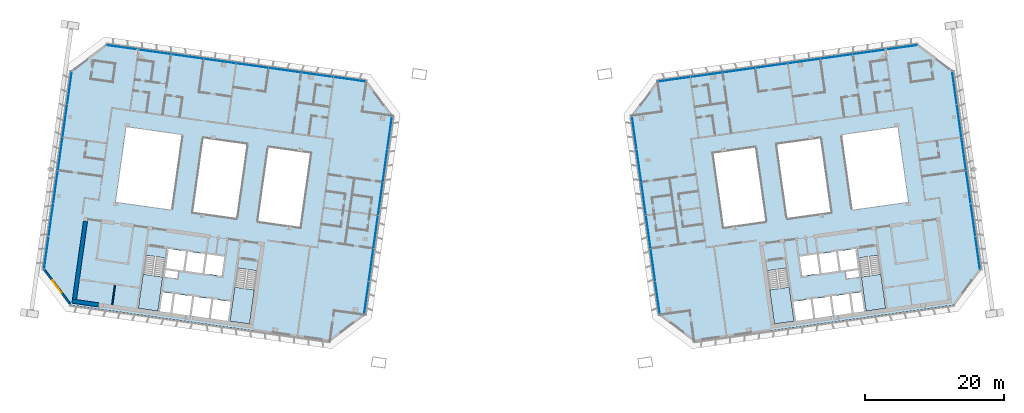
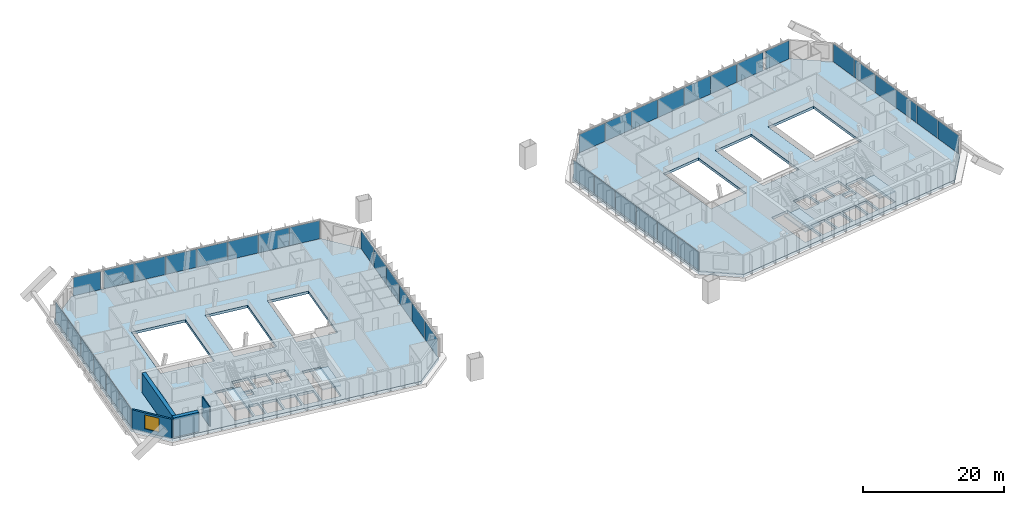
# One storey, part 13 of 25: 40 plates, 6 slabs, 4 walls, 1 window, 1 opening, 10 elements without a shape of their own.
"""IFC4 building model written with IfcOpenShell, lengths in metres."""

from ifc_helpers import new_model, si_unit, direction, frame, frame_2d, origin, origin_2d, place, context, subcontext, project, spatial, polyline, rectangle, outline, extrude, material, layer, layer_set, type_object, element, fill, aggregate, save


model = new_model("IFC4")

# Units and contexts
model_context = context("Model", 3, precision=1e-05, world=origin(), true_north=direction((0.0, 1.0)))
body_context = subcontext(model_context, "Body", "Model", "MODEL_VIEW")
ifc_project = project(units=[si_unit("LENGTHUNIT", "METRE"), si_unit("AREAUNIT", "SQUARE_METRE"), si_unit("VOLUMEUNIT", "CUBIC_METRE"), si_unit("PLANEANGLEUNIT", "RADIAN"), si_unit("MASSUNIT", "GRAM", prefix="KILO")], contexts=[model_context])

# Site, building, storey
site_placement = place(None, origin())
site = spatial("IfcSite", under=ifc_project, at=site_placement, CompositionType="ELEMENT")
building_placement = place(site_placement, origin())
building = spatial("IfcBuilding", under=site, at=building_placement, Name="Mirante Cascada Hotel Towers", CompositionType="ELEMENT")
storey_placement = place(building_placement, frame((0.0, 0.0, 247.0)))
storey = spatial("IfcBuildingStorey", under=building, at=storey_placement, Name="L59", CompositionType="ELEMENT", Elevation=247.0)

# Curtain wall, plates
ifc_material_1 = material(Name="Aluminium mullion and transom frame with clear laminated glass", Category="aluminium")
curtain_wall_type_1 = type_object("IfcCurtainWallType", Name="Ribbon curtain wall ECW1", PredefinedType="NOTDEFINED", material=ifc_material_1)
curtain_wall_1_placement = place(storey_placement, origin())
curtain_wall_1 = element("IfcCurtainWall", 1, at=curtain_wall_1_placement, inside=storey, type_object=curtain_wall_type_1, Name="Front ribbon wall T1 L59", PredefinedType="NOTDEFINED")
ifc_material_2 = material(Name="Clear laminated glass", Category="glass")
ifc_layer_1 = layer(ifc_material_2, 0.036)
ifc_layer_set_1 = layer_set([ifc_layer_1], Name="ECW1 glass panel 36")
plate_type_1 = type_object("IfcPlateType", Name="ECW1 glass panel 36", PredefinedType="CURTAIN_PANEL", material=ifc_layer_set_1)
plate_1_placement = place(storey_placement, frame((-56.3731, 20.7417, 0.1), z_axis=(0.0, 0.0, 1.0), x_axis=(0.9902681, -0.1391731, 0.0)))
plate_1 = element("IfcPlate", 2, at=plate_1_placement, type_object=plate_type_1, Name="ECW1 panel 1", PredefinedType="CURTAIN_PANEL", context=body_context, shape_type="SweptSolid", body=[
    extrude(rectangle(XDim=4.1828, YDim=0.036, at=origin_2d()), origin(), (0.0, 0.0, 1.0), 3.15),
])
plate_2_placement = place(storey_placement, frame((-51.4901, 20.0555, 0.1), z_axis=(0.0, 0.0, 1.0), x_axis=(0.9902681, -0.1391731, 0.0)))
plate_2 = element("IfcPlate", 3, at=plate_2_placement, type_object=plate_type_1, Name="ECW1 panel 2", PredefinedType="CURTAIN_PANEL", context=body_context, shape_type="SweptSolid", body=[
    extrude(rectangle(XDim=4.6599, YDim=0.036, at=origin_2d()), origin(), (0.0, 0.0, 1.0), 3.15),
])
plate_3_placement = place(storey_placement, frame((-46.8112, 19.3979, 0.1), z_axis=(0.0, 0.0, 1.0), x_axis=(0.9902681, -0.1391731, 0.0)))
plate_3 = element("IfcPlate", 4, at=plate_3_placement, type_object=plate_type_1, Name="ECW1 panel 3", PredefinedType="CURTAIN_PANEL", context=body_context, shape_type="SweptSolid", body=[
    extrude(rectangle(XDim=4.6599, YDim=0.036, at=origin_2d()), origin(), (0.0, 0.0, 1.0), 3.15),
])
plate_4_placement = place(storey_placement, frame((-42.1323, 18.7403, 0.1), z_axis=(0.0, 0.0, 1.0), x_axis=(0.9902681, -0.1391731, 0.0)))
plate_4 = element("IfcPlate", 5, at=plate_4_placement, type_object=plate_type_1, Name="ECW1 panel 4", PredefinedType="CURTAIN_PANEL", context=body_context, shape_type="SweptSolid", body=[
    extrude(rectangle(XDim=4.6599, YDim=0.036, at=origin_2d()), origin(), (0.0, 0.0, 1.0), 3.15),
])
plate_5_placement = place(storey_placement, frame((-37.4534, 18.0828, 0.1), z_axis=(0.0, 0.0, 1.0), x_axis=(0.9902681, -0.1391731, 0.0)))
plate_5 = element("IfcPlate", 6, at=plate_5_placement, type_object=plate_type_1, Name="ECW1 panel 5", PredefinedType="CURTAIN_PANEL", context=body_context, shape_type="SweptSolid", body=[
    extrude(rectangle(XDim=4.6599, YDim=0.036, at=origin_2d()), origin(), (0.0, 0.0, 1.0), 3.15),
])
plate_6_placement = place(storey_placement, frame((-32.7744, 17.4252, 0.1), z_axis=(0.0, 0.0, 1.0), x_axis=(0.9902681, -0.1391731, 0.0)))
plate_6 = element("IfcPlate", 7, at=plate_6_placement, type_object=plate_type_1, Name="ECW1 panel 6", PredefinedType="CURTAIN_PANEL", context=body_context, shape_type="SweptSolid", body=[
    extrude(rectangle(XDim=4.6599, YDim=0.036, at=origin_2d()), origin(), (0.0, 0.0, 1.0), 3.15),
])
plate_7_placement = place(storey_placement, frame((-28.0955, 16.7676, 0.1), z_axis=(0.0, 0.0, 1.0), x_axis=(0.9902681, -0.1391731, 0.0)))
plate_7 = element("IfcPlate", 8, at=plate_7_placement, type_object=plate_type_1, Name="ECW1 panel 7", PredefinedType="CURTAIN_PANEL", context=body_context, shape_type="SweptSolid", body=[
    extrude(rectangle(XDim=4.6599, YDim=0.036, at=origin_2d()), origin(), (0.0, 0.0, 1.0), 3.15),
])
plate_8_placement = place(storey_placement, frame((-23.4327, 16.1123, 0.1), z_axis=(0.0, 0.0, 1.0), x_axis=(0.9902681, -0.1391731, 0.0)))
plate_8 = element("IfcPlate", 9, at=plate_8_placement, type_object=plate_type_1, Name="ECW1 panel 8", PredefinedType="CURTAIN_PANEL", context=body_context, shape_type="SweptSolid", body=[
    extrude(rectangle(XDim=4.6274, YDim=0.036, at=origin_2d()), origin(), (0.0, 0.0, 1.0), 3.15),
])
aggregate(curtain_wall_1, [plate_1, plate_2, plate_3, plate_4, plate_5, plate_6, plate_7, plate_8])

curtain_wall_2_placement = place(storey_placement, origin())
curtain_wall_2 = element("IfcCurtainWall", 10, at=curtain_wall_2_placement, inside=storey, type_object=curtain_wall_type_1, Name="Front ribbon wall T2 L59", PredefinedType="NOTDEFINED")
plate_9_placement = place(storey_placement, frame((56.3731, 20.7417, 0.1), z_axis=(0.0, 0.0, 1.0), x_axis=(-0.9902681, -0.1391731, 0.0)))
plate_9 = element("IfcPlate", 11, at=plate_9_placement, type_object=plate_type_1, Name="ECW1 panel 1", PredefinedType="CURTAIN_PANEL", context=body_context, shape_type="SweptSolid", body=[
    extrude(rectangle(XDim=4.1828, YDim=0.036, at=origin_2d()), origin(), (0.0, 0.0, 1.0), 3.15),
])
plate_10_placement = place(storey_placement, frame((51.4901, 20.0555, 0.1), z_axis=(0.0, 0.0, 1.0), x_axis=(-0.9902681, -0.1391731, 0.0)))
plate_10 = element("IfcPlate", 12, at=plate_10_placement, type_object=plate_type_1, Name="ECW1 panel 2", PredefinedType="CURTAIN_PANEL", context=body_context, shape_type="SweptSolid", body=[
    extrude(rectangle(XDim=4.6599, YDim=0.036, at=origin_2d()), origin(), (0.0, 0.0, 1.0), 3.15),
])
plate_11_placement = place(storey_placement, frame((46.8112, 19.3979, 0.1), z_axis=(0.0, 0.0, 1.0), x_axis=(-0.9902681, -0.1391731, 0.0)))
plate_11 = element("IfcPlate", 13, at=plate_11_placement, type_object=plate_type_1, Name="ECW1 panel 3", PredefinedType="CURTAIN_PANEL", context=body_context, shape_type="SweptSolid", body=[
    extrude(rectangle(XDim=4.6599, YDim=0.036, at=origin_2d()), origin(), (0.0, 0.0, 1.0), 3.15),
])
plate_12_placement = place(storey_placement, frame((42.1323, 18.7403, 0.1), z_axis=(0.0, 0.0, 1.0), x_axis=(-0.9902681, -0.1391731, 0.0)))
plate_12 = element("IfcPlate", 14, at=plate_12_placement, type_object=plate_type_1, Name="ECW1 panel 4", PredefinedType="CURTAIN_PANEL", context=body_context, shape_type="SweptSolid", body=[
    extrude(rectangle(XDim=4.6599, YDim=0.036, at=origin_2d()), origin(), (0.0, 0.0, 1.0), 3.15),
])
plate_13_placement = place(storey_placement, frame((37.4534, 18.0828, 0.1), z_axis=(0.0, 0.0, 1.0), x_axis=(-0.9902681, -0.1391731, 0.0)))
plate_13 = element("IfcPlate", 15, at=plate_13_placement, type_object=plate_type_1, Name="ECW1 panel 5", PredefinedType="CURTAIN_PANEL", context=body_context, shape_type="SweptSolid", body=[
    extrude(rectangle(XDim=4.6599, YDim=0.036, at=origin_2d()), origin(), (0.0, 0.0, 1.0), 3.15),
])
plate_14_placement = place(storey_placement, frame((32.7744, 17.4252, 0.1), z_axis=(0.0, 0.0, 1.0), x_axis=(-0.9902681, -0.1391731, 0.0)))
plate_14 = element("IfcPlate", 16, at=plate_14_placement, type_object=plate_type_1, Name="ECW1 panel 6", PredefinedType="CURTAIN_PANEL", context=body_context, shape_type="SweptSolid", body=[
    extrude(rectangle(XDim=4.6599, YDim=0.036, at=origin_2d()), origin(), (0.0, 0.0, 1.0), 3.15),
])
plate_15_placement = place(storey_placement, frame((28.0955, 16.7676, 0.1), z_axis=(0.0, 0.0, 1.0), x_axis=(-0.9902681, -0.1391731, 0.0)))
plate_15 = element("IfcPlate", 17, at=plate_15_placement, type_object=plate_type_1, Name="ECW1 panel 7", PredefinedType="CURTAIN_PANEL", context=body_context, shape_type="SweptSolid", body=[
    extrude(rectangle(XDim=4.6599, YDim=0.036, at=origin_2d()), origin(), (0.0, 0.0, 1.0), 3.15),
])
plate_16_placement = place(storey_placement, frame((23.4327, 16.1123, 0.1), z_axis=(0.0, 0.0, 1.0), x_axis=(-0.9902681, -0.1391731, 0.0)))
plate_16 = element("IfcPlate", 18, at=plate_16_placement, type_object=plate_type_1, Name="ECW1 panel 8", PredefinedType="CURTAIN_PANEL", context=body_context, shape_type="SweptSolid", body=[
    extrude(rectangle(XDim=4.6274, YDim=0.036, at=origin_2d()), origin(), (0.0, 0.0, 1.0), 3.15),
])
aggregate(curtain_wall_2, [plate_9, plate_10, plate_11, plate_12, plate_13, plate_14, plate_15, plate_16])

ifc_material_3 = material(Name="Aluminium mullion and transom frame with clear laminated glass", Category="aluminium")
curtain_wall_type_2 = type_object("IfcCurtainWallType", Name="End ribbon curtain wall ECW2", PredefinedType="NOTDEFINED", material=ifc_material_3)
curtain_wall_3_placement = place(storey_placement, origin())
curtain_wall_3 = element("IfcCurtainWall", 19, at=curtain_wall_3_placement, inside=storey, type_object=curtain_wall_type_2, Name="Inner end wall T1 L59", PredefinedType="NOTDEFINED")
ifc_material_4 = material(Name="Clear laminated glass", Category="glass")
ifc_layer_2 = layer(ifc_material_4, 0.034)
ifc_layer_set_2 = layer_set([ifc_layer_2], Name="ECW2 glass panel 34")
plate_type_2 = type_object("IfcPlateType", Name="ECW2 glass panel 34", PredefinedType="CURTAIN_PANEL", material=ifc_layer_set_2)
plate_17_placement = place(storey_placement, frame((-17.6591, 8.399, 0.1), z_axis=(0.0, 0.0, 1.0), x_axis=(-0.1391731, -0.9902681, 0.0)))
plate_17 = element("IfcPlate", 20, at=plate_17_placement, type_object=plate_type_2, Name="ECW2 panel 1", PredefinedType="CURTAIN_PANEL", context=body_context, shape_type="SweptSolid", body=[
    extrude(rectangle(XDim=4.7151, YDim=0.034, at=origin_2d()), origin(), (0.0, 0.0, 1.0), 3.15),
])
plate_18_placement = place(storey_placement, frame((-18.3267, 3.6493, 0.1), z_axis=(0.0, 0.0, 1.0), x_axis=(-0.1391731, -0.9902681, 0.0)))
plate_18 = element("IfcPlate", 21, at=plate_18_placement, type_object=plate_type_2, Name="ECW2 panel 2", PredefinedType="CURTAIN_PANEL", context=body_context, shape_type="SweptSolid", body=[
    extrude(rectangle(XDim=4.7476, YDim=0.034, at=origin_2d()), origin(), (0.0, 0.0, 1.0), 3.15),
])
plate_19_placement = place(storey_placement, frame((-18.9965, -1.1165, 0.1), z_axis=(0.0, 0.0, 1.0), x_axis=(-0.1391731, -0.9902681, 0.0)))
plate_19 = element("IfcPlate", 22, at=plate_19_placement, type_object=plate_type_2, Name="ECW2 panel 3", PredefinedType="CURTAIN_PANEL", context=body_context, shape_type="SweptSolid", body=[
    extrude(rectangle(XDim=4.7476, YDim=0.034, at=origin_2d()), origin(), (0.0, 0.0, 1.0), 3.15),
])
plate_20_placement = place(storey_placement, frame((-19.6662, -5.8823, 0.1), z_axis=(0.0, 0.0, 1.0), x_axis=(-0.1391731, -0.9902681, 0.0)))
plate_20 = element("IfcPlate", 23, at=plate_20_placement, type_object=plate_type_2, Name="ECW2 panel 4", PredefinedType="CURTAIN_PANEL", context=body_context, shape_type="SweptSolid", body=[
    extrude(rectangle(XDim=4.7476, YDim=0.034, at=origin_2d()), origin(), (0.0, 0.0, 1.0), 3.15),
])
plate_21_placement = place(storey_placement, frame((-20.336, -10.6481, 0.1), z_axis=(0.0, 0.0, 1.0), x_axis=(-0.1391731, -0.9902681, 0.0)))
plate_21 = element("IfcPlate", 24, at=plate_21_placement, type_object=plate_type_2, Name="ECW2 panel 5", PredefinedType="CURTAIN_PANEL", context=body_context, shape_type="SweptSolid", body=[
    extrude(rectangle(XDim=4.7476, YDim=0.034, at=origin_2d()), origin(), (0.0, 0.0, 1.0), 3.15),
])
plate_22_placement = place(storey_placement, frame((-21.0036, -15.3978, 0.1), z_axis=(0.0, 0.0, 1.0), x_axis=(-0.1391731, -0.9902681, 0.0)))
plate_22 = element("IfcPlate", 25, at=plate_22_placement, type_object=plate_type_2, Name="ECW2 panel 6", PredefinedType="CURTAIN_PANEL", context=body_context, shape_type="SweptSolid", body=[
    extrude(rectangle(XDim=4.7151, YDim=0.034, at=origin_2d()), origin(), (0.0, 0.0, 1.0), 3.15),
])
aggregate(curtain_wall_3, [plate_17, plate_18, plate_19, plate_20, plate_21, plate_22])

curtain_wall_4_placement = place(storey_placement, origin())
curtain_wall_4 = element("IfcCurtainWall", 26, at=curtain_wall_4_placement, inside=storey, type_object=curtain_wall_type_2, Name="Outer end wall T1 L59", PredefinedType="NOTDEFINED")
plate_23_placement = place(storey_placement, frame((-67.1733, -8.909, 0.1), z_axis=(0.0, 0.0, 1.0), x_axis=(0.1391731, 0.9902681, 0.0)))
plate_23 = element("IfcPlate", 27, at=plate_23_placement, type_object=plate_type_2, Name="ECW2 panel 1", PredefinedType="CURTAIN_PANEL", context=body_context, shape_type="SweptSolid", body=[
    extrude(rectangle(XDim=4.7151, YDim=0.034, at=origin_2d()), origin(), (0.0, 0.0, 1.0), 3.15),
])
plate_24_placement = place(storey_placement, frame((-66.5058, -4.1593, 0.1), z_axis=(0.0, 0.0, 1.0), x_axis=(0.1391731, 0.9902681, 0.0)))
plate_24 = element("IfcPlate", 28, at=plate_24_placement, type_object=plate_type_2, Name="ECW2 panel 2", PredefinedType="CURTAIN_PANEL", context=body_context, shape_type="SweptSolid", body=[
    extrude(rectangle(XDim=4.7476, YDim=0.034, at=origin_2d()), origin(), (0.0, 0.0, 1.0), 3.15),
])
plate_25_placement = place(storey_placement, frame((-64.4964, 10.138, 0.1), z_axis=(0.0, 0.0, 1.0), x_axis=(0.1391731, 0.9902681, 0.0)))
plate_25 = element("IfcPlate", 29, at=plate_25_placement, type_object=plate_type_2, Name="ECW2 panel 5", PredefinedType="CURTAIN_PANEL", context=body_context, shape_type="SweptSolid", body=[
    extrude(rectangle(XDim=4.7476, YDim=0.034, at=origin_2d()), origin(), (0.0, 0.0, 1.0), 3.15),
])
plate_26_placement = place(storey_placement, frame((-63.8289, 14.8877, 0.1), z_axis=(0.0, 0.0, 1.0), x_axis=(0.1391731, 0.9902681, 0.0)))
plate_26 = element("IfcPlate", 30, at=plate_26_placement, type_object=plate_type_2, Name="ECW2 panel 6", PredefinedType="CURTAIN_PANEL", context=body_context, shape_type="SweptSolid", body=[
    extrude(rectangle(XDim=4.7151, YDim=0.034, at=origin_2d()), origin(), (0.0, 0.0, 1.0), 3.15),
])

curtain_wall_5_placement = place(storey_placement, origin())
curtain_wall_5 = element("IfcCurtainWall", 31, at=curtain_wall_5_placement, inside=storey, type_object=curtain_wall_type_2, Name="Inner end wall T2 L59", PredefinedType="NOTDEFINED")
plate_27_placement = place(storey_placement, frame((17.6591, 8.399, 0.1), z_axis=(0.0, 0.0, 1.0), x_axis=(0.1391731, -0.9902681, 0.0)))
plate_27 = element("IfcPlate", 32, at=plate_27_placement, type_object=plate_type_2, Name="ECW2 panel 1", PredefinedType="CURTAIN_PANEL", context=body_context, shape_type="SweptSolid", body=[
    extrude(rectangle(XDim=4.7151, YDim=0.034, at=origin_2d()), origin(), (0.0, 0.0, 1.0), 3.15),
])
plate_28_placement = place(storey_placement, frame((18.3267, 3.6493, 0.1), z_axis=(0.0, 0.0, 1.0), x_axis=(0.1391731, -0.9902681, 0.0)))
plate_28 = element("IfcPlate", 33, at=plate_28_placement, type_object=plate_type_2, Name="ECW2 panel 2", PredefinedType="CURTAIN_PANEL", context=body_context, shape_type="SweptSolid", body=[
    extrude(rectangle(XDim=4.7476, YDim=0.034, at=origin_2d()), origin(), (0.0, 0.0, 1.0), 3.15),
])
plate_29_placement = place(storey_placement, frame((18.9965, -1.1165, 0.1), z_axis=(0.0, 0.0, 1.0), x_axis=(0.1391731, -0.9902681, 0.0)))
plate_29 = element("IfcPlate", 34, at=plate_29_placement, type_object=plate_type_2, Name="ECW2 panel 3", PredefinedType="CURTAIN_PANEL", context=body_context, shape_type="SweptSolid", body=[
    extrude(rectangle(XDim=4.7476, YDim=0.034, at=origin_2d()), origin(), (0.0, 0.0, 1.0), 3.15),
])
plate_30_placement = place(storey_placement, frame((19.6662, -5.8823, 0.1), z_axis=(0.0, 0.0, 1.0), x_axis=(0.1391731, -0.9902681, 0.0)))
plate_30 = element("IfcPlate", 35, at=plate_30_placement, type_object=plate_type_2, Name="ECW2 panel 4", PredefinedType="CURTAIN_PANEL", context=body_context, shape_type="SweptSolid", body=[
    extrude(rectangle(XDim=4.7476, YDim=0.034, at=origin_2d()), origin(), (0.0, 0.0, 1.0), 3.15),
])
plate_31_placement = place(storey_placement, frame((20.336, -10.6481, 0.1), z_axis=(0.0, 0.0, 1.0), x_axis=(0.1391731, -0.9902681, 0.0)))
plate_31 = element("IfcPlate", 36, at=plate_31_placement, type_object=plate_type_2, Name="ECW2 panel 5", PredefinedType="CURTAIN_PANEL", context=body_context, shape_type="SweptSolid", body=[
    extrude(rectangle(XDim=4.7476, YDim=0.034, at=origin_2d()), origin(), (0.0, 0.0, 1.0), 3.15),
])
plate_32_placement = place(storey_placement, frame((21.0036, -15.3978, 0.1), z_axis=(0.0, 0.0, 1.0), x_axis=(0.1391731, -0.9902681, 0.0)))
plate_32 = element("IfcPlate", 37, at=plate_32_placement, type_object=plate_type_2, Name="ECW2 panel 6", PredefinedType="CURTAIN_PANEL", context=body_context, shape_type="SweptSolid", body=[
    extrude(rectangle(XDim=4.7151, YDim=0.034, at=origin_2d()), origin(), (0.0, 0.0, 1.0), 3.15),
])
aggregate(curtain_wall_5, [plate_27, plate_28, plate_29, plate_30, plate_31, plate_32])

curtain_wall_6_placement = place(storey_placement, origin())
curtain_wall_6 = element("IfcCurtainWall", 38, at=curtain_wall_6_placement, inside=storey, type_object=curtain_wall_type_2, Name="Outer end wall T2 L59", PredefinedType="NOTDEFINED")
plate_33_placement = place(storey_placement, frame((67.1733, -8.909, 0.1), z_axis=(0.0, 0.0, 1.0), x_axis=(-0.1391731, 0.9902681, 0.0)))
plate_33 = element("IfcPlate", 39, at=plate_33_placement, type_object=plate_type_2, Name="ECW2 panel 1", PredefinedType="CURTAIN_PANEL", context=body_context, shape_type="SweptSolid", body=[
    extrude(rectangle(XDim=4.7151, YDim=0.034, at=origin_2d()), origin(), (0.0, 0.0, 1.0), 3.15),
])
plate_34_placement = place(storey_placement, frame((66.5058, -4.1593, 0.1), z_axis=(0.0, 0.0, 1.0), x_axis=(-0.1391731, 0.9902681, 0.0)))
plate_34 = element("IfcPlate", 40, at=plate_34_placement, type_object=plate_type_2, Name="ECW2 panel 2", PredefinedType="CURTAIN_PANEL", context=body_context, shape_type="SweptSolid", body=[
    extrude(rectangle(XDim=4.7476, YDim=0.034, at=origin_2d()), origin(), (0.0, 0.0, 1.0), 3.15),
])
plate_35_placement = place(storey_placement, frame((64.4964, 10.138, 0.1), z_axis=(0.0, 0.0, 1.0), x_axis=(-0.1391731, 0.9902681, 0.0)))
plate_35 = element("IfcPlate", 41, at=plate_35_placement, type_object=plate_type_2, Name="ECW2 panel 5", PredefinedType="CURTAIN_PANEL", context=body_context, shape_type="SweptSolid", body=[
    extrude(rectangle(XDim=4.7476, YDim=0.034, at=origin_2d()), origin(), (0.0, 0.0, 1.0), 3.15),
])
plate_36_placement = place(storey_placement, frame((63.8289, 14.8877, 0.1), z_axis=(0.0, 0.0, 1.0), x_axis=(-0.1391731, 0.9902681, 0.0)))
plate_36 = element("IfcPlate", 42, at=plate_36_placement, type_object=plate_type_2, Name="ECW2 panel 6", PredefinedType="CURTAIN_PANEL", context=body_context, shape_type="SweptSolid", body=[
    extrude(rectangle(XDim=4.7151, YDim=0.034, at=origin_2d()), origin(), (0.0, 0.0, 1.0), 3.15),
])

# Plate
ifc_material_5 = material(Name="Insulated aluminium spandrel panel", Category="aluminium")
ifc_layer_3 = layer(ifc_material_5, 0.034)
ifc_layer_set_3 = layer_set([ifc_layer_3], Name="ECW2 spandrel panel 34")
plate_type_3 = type_object("IfcPlateType", Name="ECW2 spandrel panel 34", PredefinedType="CURTAIN_PANEL", material=ifc_layer_set_3)
plate_37_placement = place(storey_placement, frame((-65.836, 0.6065, 0.1), z_axis=(0.0, 0.0, 1.0), x_axis=(0.1391731, 0.9902681, 0.0)))
plate_37 = element("IfcPlate", 43, at=plate_37_placement, type_object=plate_type_3, Name="ECW2 panel 3", PredefinedType="CURTAIN_PANEL", context=body_context, shape_type="SweptSolid", body=[
    extrude(rectangle(XDim=4.7476, YDim=0.034, at=origin_2d()), origin(), (0.0, 0.0, 1.0), 3.15),
])

plate_38_placement = place(storey_placement, frame((-65.1662, 5.3722, 0.1), z_axis=(0.0, 0.0, 1.0), x_axis=(0.1391731, 0.9902681, 0.0)))
plate_38 = element("IfcPlate", 44, at=plate_38_placement, type_object=plate_type_3, Name="ECW2 panel 4", PredefinedType="CURTAIN_PANEL", context=body_context, shape_type="SweptSolid", body=[
    extrude(rectangle(XDim=4.7476, YDim=0.034, at=origin_2d()), origin(), (0.0, 0.0, 1.0), 3.15),
])

aggregate(curtain_wall_4, [plate_23, plate_24, plate_37, plate_38, plate_25, plate_26])

plate_39_placement = place(storey_placement, frame((65.836, 0.6065, 0.1), z_axis=(0.0, 0.0, 1.0), x_axis=(-0.1391731, 0.9902681, 0.0)))
plate_39 = element("IfcPlate", 45, at=plate_39_placement, type_object=plate_type_3, Name="ECW2 panel 3", PredefinedType="CURTAIN_PANEL", context=body_context, shape_type="SweptSolid", body=[
    extrude(rectangle(XDim=4.7476, YDim=0.034, at=origin_2d()), origin(), (0.0, 0.0, 1.0), 3.15),
])

plate_40_placement = place(storey_placement, frame((65.1662, 5.3722, 0.1), z_axis=(0.0, 0.0, 1.0), x_axis=(-0.1391731, 0.9902681, 0.0)))
plate_40 = element("IfcPlate", 46, at=plate_40_placement, type_object=plate_type_3, Name="ECW2 panel 4", PredefinedType="CURTAIN_PANEL", context=body_context, shape_type="SweptSolid", body=[
    extrude(rectangle(XDim=4.7476, YDim=0.034, at=origin_2d()), origin(), (0.0, 0.0, 1.0), 3.15),
])

aggregate(curtain_wall_6, [plate_33, plate_34, plate_39, plate_40, plate_35, plate_36])

# Stair, slab
ifc_material_6 = material(Name="Concrete C35/45", Category="concrete")
stair_type = type_object("IfcStairType", Name="Exit stair half-turn 1350 concrete C35/45", PredefinedType="HALF_TURN_STAIR", material=ifc_material_6)
stair_1_placement = place(storey_placement, origin())
stair_1 = element("IfcStair", 47, at=stair_1_placement, inside=storey, type_object=stair_type, Name="L59 Exit stair A", PredefinedType="HALF_TURN_STAIR")
ifc_material_7 = material(Name="Concrete C35/45", Category="concrete")
ifc_layer_4 = layer(ifc_material_7, 0.2)
ifc_layer_set_4 = layer_set([ifc_layer_4], Name="Exit stair landing 200 concrete C35/45")
slab_type_1 = type_object("IfcSlabType", Name="Exit stair landing 200 concrete C35/45", PredefinedType="LANDING", material=ifc_layer_set_4)
slab_1_placement = place(storey_placement, frame((0.0, 0.0, 1.7)))
slab_1 = element("IfcSlab", 48, at=slab_1_placement, type_object=slab_type_1, Name="ST1-A landing 1", PredefinedType="LANDING", context=body_context, shape_type="SweptSolid", body=[
    extrude(outline(polyline([(-39.9987, -13.8659), (-40.6887, -18.7757), (-37.8665, -19.1723), (-37.1765, -14.2626), (-39.9987, -13.8659)])), origin(), (0.0, 0.0, 1.0), 0.2),
])
aggregate(stair_1, [slab_1])

stair_2_placement = place(storey_placement, origin())
stair_2 = element("IfcStair", 49, at=stair_2_placement, inside=storey, type_object=stair_type, Name="L59 Exit stair B", PredefinedType="HALF_TURN_STAIR")
slab_2_placement = place(storey_placement, frame((0.0, 0.0, 1.7)))
slab_2 = element("IfcSlab", 50, at=slab_2_placement, type_object=slab_type_1, Name="ST1-B landing 1", PredefinedType="LANDING", context=body_context, shape_type="SweptSolid", body=[
    extrude(outline(polyline([(-53.2188, -12.008), (-53.9088, -16.9177), (-51.0866, -17.3144), (-50.3965, -12.4046), (-53.2188, -12.008)])), origin(), (0.0, 0.0, 1.0), 0.2),
])
aggregate(stair_2, [slab_2])

stair_3_placement = place(storey_placement, origin())
stair_3 = element("IfcStair", 51, at=stair_3_placement, inside=storey, type_object=stair_type, Name="L59 Exit stair A", PredefinedType="HALF_TURN_STAIR")
slab_3_placement = place(storey_placement, frame((0.0, 0.0, 1.7)))
slab_3 = element("IfcSlab", 52, at=slab_3_placement, type_object=slab_type_1, Name="ST2-A landing 1", PredefinedType="LANDING", context=body_context, shape_type="SweptSolid", body=[
    extrude(outline(polyline([(37.1765, -14.2626), (37.8665, -19.1723), (40.6887, -18.7757), (39.9987, -13.8659), (37.1765, -14.2626)])), origin(), (0.0, 0.0, 1.0), 0.2),
])
aggregate(stair_3, [slab_3])

stair_4_placement = place(storey_placement, origin())
stair_4 = element("IfcStair", 53, at=stair_4_placement, inside=storey, type_object=stair_type, Name="L59 Exit stair B", PredefinedType="HALF_TURN_STAIR")
slab_4_placement = place(storey_placement, frame((0.0, 0.0, 1.7)))
slab_4 = element("IfcSlab", 54, at=slab_4_placement, type_object=slab_type_1, Name="ST2-B landing 1", PredefinedType="LANDING", context=body_context, shape_type="SweptSolid", body=[
    extrude(outline(polyline([(50.3965, -12.4046), (51.0866, -17.3144), (53.9088, -16.9177), (53.2188, -12.008), (50.3965, -12.4046)])), origin(), (0.0, 0.0, 1.0), 0.2),
])
aggregate(stair_4, [slab_4])

# Slabs
ifc_material_8 = material(Name="Concrete C40/50", Category="concrete")
ifc_layer_5 = layer(ifc_material_8, 0.45)
ifc_layer_set_5 = layer_set([ifc_layer_5], Name="Post-tensioned flat plate 450 Concrete C40/50")
slab_type_2 = type_object("IfcSlabType", Name="Post-tensioned flat plate 450 Concrete C40/50", PredefinedType="FLOOR", material=ifc_layer_set_5)
slab_5_placement = place(storey_placement, frame((0.0, 0.0, -0.45)))
element("IfcSlab", 55, at=slab_5_placement, inside=storey, type_object=slab_type_2, Name="Floor T1 L59", PredefinedType="FLOOR", context=body_context, shape_type="SweptSolid", body=[
    extrude(outline(polyline([(-21.2008, -17.8791), (-17.1648, 10.8386), (-20.9947, 15.9211), (-58.5492, 21.199), (-63.6316, 17.3691), (-67.6677, -11.3487), (-63.8377, -16.4311), (-26.2833, -21.7091), (-21.2008, -17.8791)]), holes=[polyline([(-40.5961, -15.9612), (-40.9858, -18.7339), (-43.4615, -18.386), (-43.0718, -15.6132), (-40.5961, -15.9612)]), polyline([(-43.3689, -15.5715), (-43.7586, -18.3442), (-46.2342, -17.9963), (-45.8446, -15.2236), (-43.3689, -15.5715)]), polyline([(-37.8665, -19.1723), (-40.6887, -18.7757), (-39.611, -11.107), (-36.7887, -11.5037), (-37.8665, -19.1723)]), polyline([(-43.9775, -9.124), (-41.5018, -9.472), (-41.8915, -12.2447), (-44.3672, -11.8968), (-43.9775, -9.124)]), polyline([(-46.7503, -8.7344), (-44.2746, -9.0823), (-44.6643, -11.855), (-47.1399, -11.5071), (-46.7503, -8.7344)]), polyline([(-30.4732, -5.3669), (-36.7087, -4.4906), (-35.1778, 6.4024), (-28.9423, 5.526), (-30.4732, -5.3669)]), polyline([(-46.0973, -3.1711), (-44.5664, 7.7219), (-38.1506, 6.8202), (-39.6815, -4.0728), (-46.0973, -3.1711)]), polyline([(-57.2104, -1.6092), (-55.6795, 9.2837), (-47.5392, 8.1397), (-49.0701, -2.7533), (-49.0701, -2.7533), (-57.2104, -1.6092)]), polyline([(-48.6173, -14.8339), (-46.1416, -15.1818), (-46.5313, -17.9546), (-49.007, -17.6066), (-48.6173, -14.8339)]), polyline([(-50.3998, -14.5834), (-48.9144, -14.7921), (-49.3041, -17.5649), (-50.7895, -17.3561), (-50.3998, -14.5834)]), polyline([(-51.0866, -17.3144), (-53.9088, -16.9177), (-52.8311, -9.2491), (-50.0088, -9.6457), (-51.0866, -17.3144)]), polyline([(-49.9544, -11.4145), (-48.1472, -11.6685), (-48.2829, -12.634), (-50.0901, -12.38), (-49.9544, -11.4145)]), polyline([(-49.523, -8.3447), (-47.0473, -8.6926), (-47.437, -11.4654), (-49.9127, -11.1174), (-49.523, -8.3447)])]), origin(), (0.0, 0.0, 1.0), 0.45),
])
slab_6_placement = place(storey_placement, frame((0.0, 0.0, -0.45)))
element("IfcSlab", 56, at=slab_6_placement, inside=storey, type_object=slab_type_2, Name="Floor T2 L59", PredefinedType="FLOOR", context=body_context, shape_type="SweptSolid", body=[
    extrude(outline(polyline([(21.2008, -17.8791), (17.1648, 10.8386), (20.9947, 15.9211), (58.5492, 21.199), (63.6316, 17.3691), (67.6677, -11.3487), (63.8377, -16.4311), (26.2833, -21.7091), (21.2008, -17.8791)]), holes=[polyline([(40.5961, -15.9612), (40.9858, -18.7339), (43.4615, -18.386), (43.0718, -15.6132), (40.5961, -15.9612)]), polyline([(43.3689, -15.5715), (43.7586, -18.3442), (46.2342, -17.9963), (45.8446, -15.2236), (43.3689, -15.5715)]), polyline([(40.6887, -18.7757), (39.611, -11.107), (36.7887, -11.5037), (37.8665, -19.1723), (40.6887, -18.7757)]), polyline([(43.9775, -9.124), (41.5018, -9.472), (41.8915, -12.2447), (44.3672, -11.8968), (43.9775, -9.124)]), polyline([(46.7503, -8.7344), (44.2746, -9.0823), (44.6643, -11.855), (47.1399, -11.5071), (46.7503, -8.7344)]), polyline([(30.4732, -5.3669), (28.9423, 5.526), (35.1778, 6.4024), (36.7087, -4.4906), (30.4732, -5.3669)]), polyline([(39.6815, -4.0728), (38.1506, 6.8202), (44.5664, 7.7219), (46.0973, -3.1711), (39.6815, -4.0728)]), polyline([(55.6795, 9.2837), (57.2104, -1.6092), (49.0701, -2.7533), (49.0701, -2.7533), (47.5392, 8.1397), (55.6795, 9.2837)]), polyline([(48.6173, -14.8339), (46.1416, -15.1818), (46.5313, -17.9546), (49.007, -17.6066), (48.6173, -14.8339)]), polyline([(50.3998, -14.5834), (48.9144, -14.7921), (49.3041, -17.5649), (50.7895, -17.3561), (50.3998, -14.5834)]), polyline([(53.9088, -16.9177), (52.8311, -9.2491), (50.0088, -9.6457), (51.0866, -17.3144), (53.9088, -16.9177)]), polyline([(49.9544, -11.4145), (48.1472, -11.6685), (48.2829, -12.634), (50.0901, -12.38), (49.9544, -11.4145)]), polyline([(49.523, -8.3447), (47.0473, -8.6926), (47.437, -11.4654), (49.9127, -11.1174), (49.523, -8.3447)])]), origin(), (0.0, 0.0, 1.0), 0.45),
])

# Wall
ifc_material_9 = material(Name="Masonry block", Category="masonry")
ifc_layer_6 = layer(ifc_material_9, 0.15)
ifc_layer_set_6 = layer_set([ifc_layer_6], Name="Core room partition 150 block EI 30")
wall_type_1 = type_object("IfcWallType", Name="Core room partition 150 block EI 30", PredefinedType="PARTITIONING", material=ifc_layer_set_6)
wall_1_placement = place(storey_placement, frame((-57.6718, -16.3889, 0.0), z_axis=(0.0, 0.0, 1.0), x_axis=(0.139141, 0.9902726, 0.0)))
element("IfcWall", 57, at=wall_1_placement, inside=storey, type_object=wall_type_1, Name="Core wall partition T1 L59 6", PredefinedType="PARTITIONING", context=body_context, shape_type="SweptSolid", body=[
    extrude(rectangle(XDim=2.8, YDim=0.15, at=frame_2d((1.4, 0.0))), origin(), (0.0, 0.0, 1.0), 3.35),
])

# Wall, opening, window
ifc_material_10 = material(Name="Precast concrete C40/50", Category="concrete")
ifc_layer_7 = layer(ifc_material_10, 0.3)
ifc_layer_set_7 = layer_set([ifc_layer_7], Name="Precast concrete C40/50 cladding wall 300")
wall_type_2 = type_object("IfcWallType", Name="Precast concrete C40/50 cladding wall 300", PredefinedType="STANDARD", material=ifc_layer_set_7)
wall_2_placement = place(storey_placement, frame((-63.7926, -16.2417, 0.0), z_axis=(0.0, 0.0, 1.0), x_axis=(-0.6018245, 0.7986283, 0.0)))
wall_2 = element("IfcWall", 58, at=wall_2_placement, inside=storey, type_object=wall_type_2, Name="Corner cladding wall T1 L59 rear outer", PredefinedType="STANDARD", context=body_context, shape_type="SweptSolid", body=[
    extrude(rectangle(XDim=6.1157, YDim=0.3, at=frame_2d((3.0578, 0.0))), origin(), (0.0, 0.0, 1.0), 3.35),
])
opening_placement = place(wall_2_placement, frame((1.9578, 0.0, 0.6)))
opening = element("IfcOpeningElement", 59, at=opening_placement, cuts=wall_2, Name="Opening W1-59-03", PredefinedType="OPENING", context=body_context, shape_type="SweptSolid", body=[
    extrude(rectangle(XDim=2.2, YDim=2.4, at=frame_2d((1.1, 1.2))), frame((0.0, 0.15, 0.0), z_axis=(0.0, -1.0, 0.0), x_axis=(1.0, 0.0, 0.0)), (0.0, 0.0, 1.0), 0.3),
])
ifc_material_11 = material(Name="Aluminium frame with clear double glazing", Category="aluminium")
window_type = type_object("IfcWindowType", Name="Corner suite window 2200x2400", PartitioningType="DOUBLE_PANEL_VERTICAL", PredefinedType="WINDOW", material=ifc_material_11)
window_placement = place(opening_placement, origin())
window = element("IfcWindow", 60, at=window_placement, inside=storey, type_object=window_type, Name="Window W1-59-03", OverallHeight=2.4, OverallWidth=2.2, PartitioningType="SINGLE_PANEL", PredefinedType="WINDOW", context=body_context, shape_type="SweptSolid", body=[
    extrude(rectangle(XDim=2.2, YDim=2.4, at=frame_2d((1.1, 1.2))), frame((0.0, 0.03, 0.0), z_axis=(0.0, -1.0, 0.0), x_axis=(1.0, 0.0, 0.0)), (0.0, 0.0, 1.0), 0.06),
])
fill(opening, window)

# Walls
ifc_material_12 = material(Name="Concrete C50/60", Category="concrete")
ifc_layer_8 = layer(ifc_material_12, 0.6)
ifc_layer_set_8 = layer_set([ifc_layer_8], Name="RC core wall 600 C50/60")
wall_type_3 = type_object("IfcWallType", Name="RC core wall 600 C50/60", PredefinedType="SHEAR", material=ifc_layer_set_8)
wall_3_placement = place(storey_placement, frame((-59.6446, -16.4145, 0.0), z_axis=(0.0, 0.0, 1.0), x_axis=(-0.9902685, 0.1391701, 0.0)))
element("IfcWall", 61, at=wall_3_placement, inside=storey, type_object=wall_type_3, Name="Core wall T1:L59:1.3", PredefinedType="SHEAR", context=body_context, shape_type="SweptSolid", body=[
    extrude(rectangle(XDim=3.85, YDim=0.6, at=frame_2d((1.925, 0.0))), origin(), (0.0, 0.0, 1.0), 3.35),
])
wall_4_placement = place(storey_placement, frame((-63.1183, -15.6234, 0.0), z_axis=(0.0, 0.0, 1.0), x_axis=(0.1391749, 0.9902678, 0.0)))
element("IfcWall", 62, at=wall_4_placement, inside=storey, type_object=wall_type_3, Name="Core wall T1:L59:4", PredefinedType="SHEAR", context=body_context, shape_type="SweptSolid", body=[
    extrude(rectangle(XDim=11.4, YDim=0.6, at=frame_2d((5.7, 0.0))), origin(), (0.0, 0.0, 1.0), 3.35),
])

save(model, "model.ifc")
